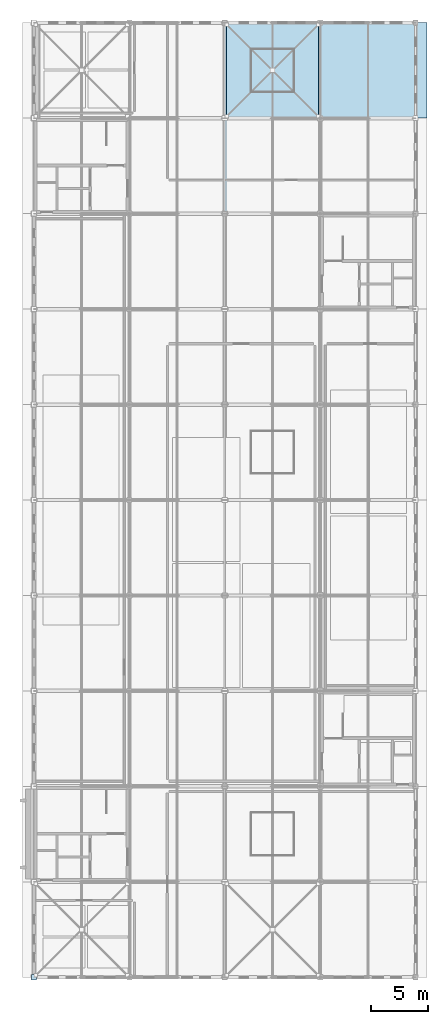
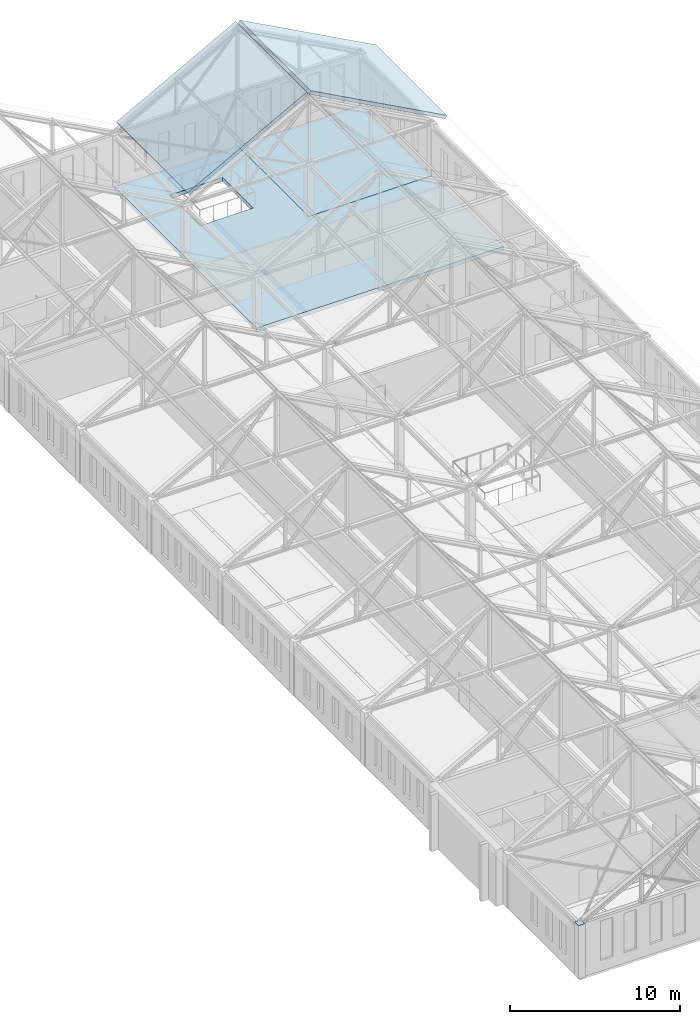
# One storey, part 17 of 36: 4 slabs, 1 plate.
"""IFC4 building model written with IfcOpenShell, lengths in metres."""

from ifc_helpers import new_model, si_unit, direction, frame, origin, origin_2d, place, context, subcontext, project, spatial, polyline, rectangle, outline, extrude, material, layer, layer_set, type_object, element, save


model = new_model("IFC4")

# Units and contexts
model_context = context("Model", 3, precision=1e-05, world=origin(), true_north=direction((0.0, 1.0)))
body_context = subcontext(model_context, "Body", "Model", "MODEL_VIEW")
ifc_project = project(units=[si_unit("LENGTHUNIT", "METRE"), si_unit("AREAUNIT", "SQUARE_METRE"), si_unit("VOLUMEUNIT", "CUBIC_METRE"), si_unit("PLANEANGLEUNIT", "RADIAN"), si_unit("MASSUNIT", "GRAM", prefix="KILO")], contexts=[model_context])

# Site, building, storey
site_placement = place(None, origin())
site = spatial("IfcSite", under=ifc_project, at=site_placement, CompositionType="ELEMENT")
building_placement = place(site_placement, origin())
building = spatial("IfcBuilding", under=site, at=building_placement, Name="Kveldsbrygga Polytechnic", CompositionType="ELEMENT")
storey_placement = place(building_placement, frame((0.0, 0.0, 26.179931640625)))
storey = spatial("IfcBuildingStorey", under=building, at=storey_placement, Name="L06", CompositionType="ELEMENT", Elevation=26.179931640625)

# Plate
ifc_material_1 = material(Name="Steel S355", Category="steel")
ifc_layer_1 = layer(ifc_material_1, 0.030029296875)
ifc_layer_set_1 = layer_set([ifc_layer_1], Name="Steel S355")
plate_type = type_object("IfcPlateType", Name="CAP-BEAR-450", PredefinedType="SHEET", material=ifc_layer_set_1)
plate_placement = place(storey_placement, frame((126.0, 16.800048828125, 3.81005859375), z_axis=(0.0, 0.0, 1.0), x_axis=(1.0, 0.0, 0.0)))
element("IfcPlate", 1, at=plate_placement, inside=storey, type_object=plate_type, Name="Truss Bearing Plate V4M1-T01-A", PredefinedType="SHEET", context=body_context, shape_type="SweptSolid", body=[
    extrude(rectangle(XDim=0.449951171875, YDim=0.449951171875, at=origin_2d()), origin(), (0.0, 0.0, 1.0), 0.030029296875),
])

# Slabs
ifc_material_2 = material(Name="Concrete C35/45", Category="concrete")
ifc_layer_2 = layer(ifc_material_2, 0.239990234375)
ifc_layer_set_2 = layer_set([ifc_layer_2], Name="Concrete C35/45")
slab_type_1 = type_object("IfcSlabType", Name="SLB-ROOF-240", PredefinedType="ROOF", material=ifc_layer_set_2)
slab_1_placement = place(storey_placement, frame((142.949951171875, 92.39990234375, 4.603759765625), z_axis=(-0.476281444297, 0.0, 0.879292889666), x_axis=(0.879292889666, 0.0, 0.476281444297)))
element("IfcSlab", 2, at=slab_1_placement, inside=storey, type_object=slab_type_1, Name="Pitched Roof Slab V4M2-RSLB-10-1", PredefinedType="ROOF", context=body_context, shape_type="SweptSolid", body=[
    extrude(outline(polyline([(0.0, 0.0), (9.229828594802552, 0.0), (9.229828594802552, 8.400146484375), (0.0, 8.400146484375), (0.0, 0.0)])), origin(), (0.0, 0.0, -1.0), 0.239990234375),
])
slab_2_placement = place(storey_placement, frame((151.334228515625, 92.39990234375, 8.999755859375), z_axis=(0.476285387583, 0.0, 0.879290753718), x_axis=(0.879290753718, 0.0, -0.476285387583)))
element("IfcSlab", 3, at=slab_2_placement, inside=storey, type_object=slab_type_1, Name="Pitched Roof Slab V4M2-RSLB-10-2", PredefinedType="ROOF", context=body_context, shape_type="SweptSolid", body=[
    extrude(outline(polyline([(0.0, 0.0), (10.537889886184306, 0.0), (10.537889886184306, 8.400146484375), (0.0, 8.400146484375), (0.0, 0.0)])), origin(), (0.0, 0.0, -1.0), 0.239990234375),
])
ifc_layer_3 = layer(ifc_material_2, 0.280029296875)
ifc_layer_set_3 = layer_set([ifc_layer_3], Name="Concrete C35/45")
slab_type_2 = type_object("IfcSlabType", Name="SLB-STD-280", PredefinedType="FLOOR", material=ifc_layer_set_3)
slab_3_placement = place(storey_placement, frame((0.0, 0.0, -0.280029296875)))
element("IfcSlab", 4, at=slab_3_placement, inside=storey, type_object=slab_type_2, Name="Slab SLB-L06-V4-L09-1", PredefinedType="FLOOR", context=body_context, shape_type="SweptSolid", body=[
    extrude(outline(polyline([(142.800048828125, 84.0), (142.800048828125, 92.39990234375), (142.800048828125, 100.800048828125), (151.199951171875, 100.800048828125), (151.199951171875, 92.39990234375), (159.60009765625, 92.39990234375), (159.60009765625, 84.0), (151.199951171875, 84.0), (142.800048828125, 84.0)]), holes=[polyline([(145.199951171875, 94.800048828125), (148.800048828125, 94.800048828125), (148.800048828125, 98.39990234375), (145.199951171875, 98.39990234375), (145.199951171875, 94.800048828125)])]), origin(), (0.0, 0.0, 1.0), 0.280029296875),
])
slab_4_placement = place(storey_placement, frame((0.0, 0.0, -0.280029296875)))
element("IfcSlab", 5, at=slab_4_placement, inside=storey, type_object=slab_type_2, Name="Slab SLB-L06-V4-Z9-2", PredefinedType="FLOOR", context=body_context, shape_type="SweptSolid", body=[
    extrude(outline(polyline([(151.199951171875, 100.800048828125), (159.60009765625, 100.800048828125), (159.60009765625, 92.39990234375), (151.199951171875, 92.39990234375), (151.199951171875, 100.800048828125)])), origin(), (0.0, 0.0, 1.0), 0.280029296875),
])

save(model, "model.ifc")
